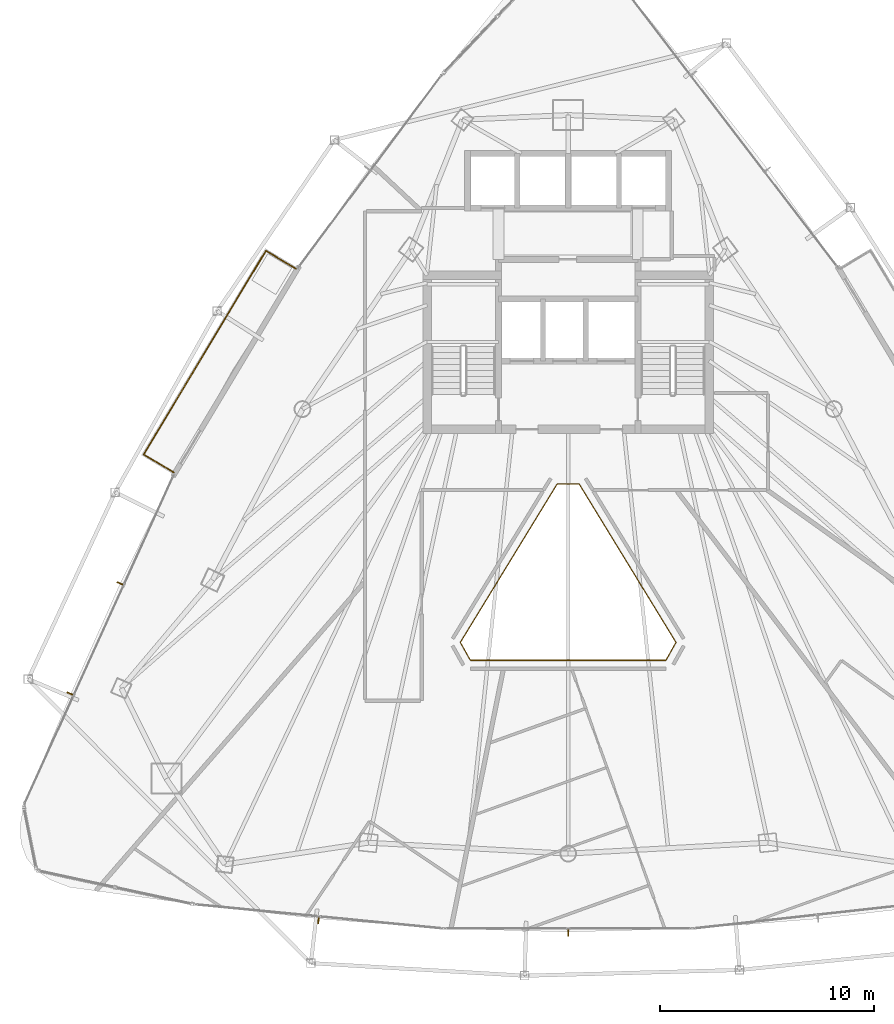
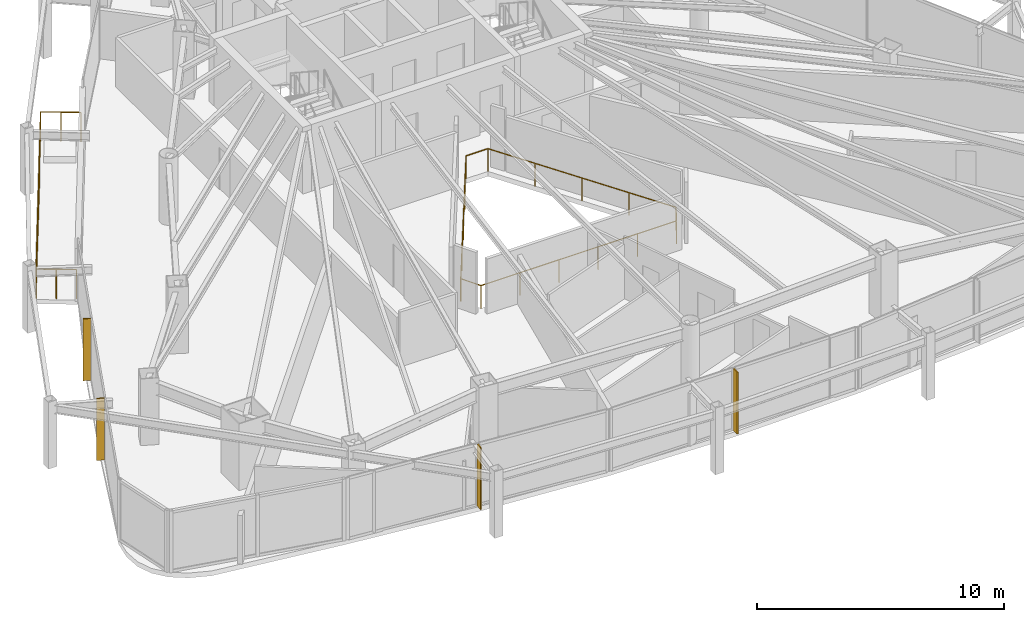
# One storey, part 28 of 30: 4 shading devices, 2 railings.
"""IFC4 building model written with IfcOpenShell, lengths in metres."""

from ifc_helpers import new_model, si_unit, direction, frame, origin, origin_2d, place, context, subcontext, project, spatial, rectangle, circle, extrude, material, layer, layer_set, type_object, element, save


model = new_model("IFC4")

# Units and contexts
model_context = context("Model", 3, precision=1e-05, world=origin(), true_north=direction((0.0, 1.0)))
body_context = subcontext(model_context, "Body", "Model", "MODEL_VIEW")
ifc_project = project(units=[si_unit("LENGTHUNIT", "METRE"), si_unit("AREAUNIT", "SQUARE_METRE"), si_unit("VOLUMEUNIT", "CUBIC_METRE"), si_unit("PLANEANGLEUNIT", "RADIAN"), si_unit("MASSUNIT", "GRAM", prefix="KILO")], contexts=[model_context])

# Site, building, storey
site_placement = place(None, origin())
site = spatial("IfcSite", under=ifc_project, at=site_placement, CompositionType="ELEMENT")
building_placement = place(site_placement, origin())
building = spatial("IfcBuilding", under=site, at=building_placement, Name="Orvanel Arch Residences", CompositionType="ELEMENT")
storey_placement = place(building_placement, frame((0.0, 0.0, 136.39990234375)))
storey = spatial("IfcBuildingStorey", under=building, at=storey_placement, Name="L38", CompositionType="ELEMENT", Elevation=136.39990234375)

# Shading devices
ifc_material = material(Name="Bronze-anodised aluminium AA6063-T6", Category="aluminium")
ifc_layer = layer(ifc_material, 0.054931640625)
ifc_layer_set = layer_set([ifc_layer], Name="Bronze-anodised aluminium AA6063-T6")
shading_device_type = type_object("IfcShadingDeviceType", Name="FIN-BRZ-320", PredefinedType="USERDEFINED", material=ifc_layer_set)
for number, where, z_axis, x_axis, name in (
    (1, (12.0390625, 19.48193359375, 0.0), (0.0, 0.0, 1.0), (-0.910683660806, 0.413104429825, 0.0), "L38 Anodised Bronze Mullion FIN 01"),
    (2, (9.697998046875, 14.327880859375, 0.0), (0.0, 0.0, 1.0), (-0.910683660806, 0.413104429825, 0.0), "L38 Anodised Bronze Mullion FIN 02"),
    (3, (21.320068359375, 3.717041015625, 0.0), (0.0, 0.0, 1.0), (-0.09584575252, -0.995396198367, 0.0), "L38 Anodised Bronze Mullion FIN 01"),
    (4, (33.0, 3.14990234375, 0.0), (0.0, 0.0, 1.0), (0.0, -1.0, 0.0), "L38 Anodised Bronze Mullion FIN 01"),
):
    element("IfcShadingDevice", number, at=place(storey_placement, frame(where, z_axis=z_axis, x_axis=x_axis)), inside=storey, type_object=shading_device_type, Name=name, ObjectType="FIN", PredefinedType="USERDEFINED", context=body_context, shape_type="SweptSolid", body=[
        extrude(rectangle(XDim=0.320068359375, YDim=0.054931640625, at=origin_2d()), origin(), (0.0, 0.0, 1.0), 3.06005859375),
    ])

# Railings
railing_type_1 = type_object("IfcRailingType", Name="RL-ATR-1150", PredefinedType="BALUSTRADE", material=ifc_material)
railing_1_placement = place(storey_placement, frame((33.510986328125, 24.138916015625, 0.0)))
element("IfcRailing", 5, at=railing_1_placement, inside=storey, type_object=railing_type_1, Name="L38 Atrium Void Protective Balustrade", PredefinedType="BALUSTRADE", context=body_context, shape_type="SweptSolid", body=[
    extrude(circle(Radius=0.02392578125, at=origin_2d()), frame((-0.00146484375, 0.0, 1.1259765625), z_axis=(-1.0, 0.0, 0.0), x_axis=(0.0, -1.0, 0.0)), (0.0, 0.0, 1.0), 1.01904296875),
    extrude(circle(Radius=0.02392578125, at=origin_2d()), frame((-1.022705078125, -0.001220703125, 1.1259765625), z_axis=(-0.521578460024, -0.853203322801, 0.0), x_axis=(0.853203322801, -0.521578460024, 0.0)), (0.0, 0.0, 1.0), 8.68408203125),
    extrude(circle(Radius=0.02392578125, at=origin_2d()), frame((-5.55224609375, -7.4130859375, 1.1259765625), z_axis=(0.488518007853, -0.872553812669, 0.0), x_axis=(0.872553812669, 0.488518007853, 0.0)), (0.0, 0.0, 1.0), 0.955078125),
    extrude(circle(Radius=0.02392578125, at=origin_2d()), frame((-5.08349609375, -8.247802734375, 1.1259765625), z_axis=(1.0, 0.0, 0.0), x_axis=(0.0, 1.0, 0.0)), (0.0, 0.0, 1.0), 9.14501953125),
    extrude(circle(Radius=0.02392578125, at=origin_2d()), frame((4.063720703125, -8.24658203125, 1.1259765625), z_axis=(0.488518007853, 0.872553812669, 0.0), x_axis=(-0.872553812669, 0.488518007853, 0.0)), (0.0, 0.0, 1.0), 0.955078125),
    extrude(circle(Radius=0.02392578125, at=origin_2d()), frame((4.5302734375, -7.41064453125, 1.1259765625), z_axis=(-0.521578460024, 0.853203322801, 0.0), x_axis=(-0.853203322801, -0.521578460024, 0.0)), (0.0, 0.0, 1.0), 8.68408203125),
    extrude(circle(Radius=0.02099609375, at=origin_2d()), origin(), (0.0, 0.0, 1.0), 1.099853515625),
    extrude(circle(Radius=0.02099609375, at=origin_2d()), frame((-1.02197265625, 0.0, 0.0)), (0.0, 0.0, 1.0), 1.099853515625),
    extrude(circle(Radius=0.02099609375, at=origin_2d()), frame((-2.15478515625, -1.85302734375, 0.0)), (0.0, 0.0, 1.0), 1.099853515625),
    extrude(circle(Radius=0.02099609375, at=origin_2d()), frame((-3.28759765625, -3.7060546875, 0.0)), (0.0, 0.0, 1.0), 1.099853515625),
    extrude(circle(Radius=0.02099609375, at=origin_2d()), frame((-4.420166015625, -5.558837890625, 0.0)), (0.0, 0.0, 1.0), 1.099853515625),
    extrude(circle(Radius=0.02099609375, at=origin_2d()), frame((-5.552978515625, -7.411865234375, 0.0)), (0.0, 0.0, 1.0), 1.099853515625),
    extrude(circle(Radius=0.02099609375, at=origin_2d()), frame((-5.0849609375, -8.247802734375, 0.0)), (0.0, 0.0, 1.0), 1.099853515625),
    extrude(circle(Radius=0.02099609375, at=origin_2d()), frame((-3.25537109375, -8.247802734375, 0.0)), (0.0, 0.0, 1.0), 1.099853515625),
    extrude(circle(Radius=0.02099609375, at=origin_2d()), frame((-1.42578125, -8.247802734375, 0.0)), (0.0, 0.0, 1.0), 1.099853515625),
    extrude(circle(Radius=0.02099609375, at=origin_2d()), frame((0.40380859375, -8.247802734375, 0.0)), (0.0, 0.0, 1.0), 1.099853515625),
    extrude(circle(Radius=0.02099609375, at=origin_2d()), frame((2.2333984375, -8.247802734375, 0.0)), (0.0, 0.0, 1.0), 1.099853515625),
    extrude(circle(Radius=0.02099609375, at=origin_2d()), frame((4.06298828125, -8.247802734375, 0.0)), (0.0, 0.0, 1.0), 1.099853515625),
    extrude(circle(Radius=0.02099609375, at=origin_2d()), frame((4.531005859375, -7.411865234375, 0.0)), (0.0, 0.0, 1.0), 1.099853515625),
    extrude(circle(Radius=0.02099609375, at=origin_2d()), frame((3.398193359375, -5.558837890625, 0.0)), (0.0, 0.0, 1.0), 1.099853515625),
    extrude(circle(Radius=0.02099609375, at=origin_2d()), frame((2.265625, -3.7060546875, 0.0)), (0.0, 0.0, 1.0), 1.099853515625),
    extrude(circle(Radius=0.02099609375, at=origin_2d()), frame((1.1328125, -1.85302734375, 0.0)), (0.0, 0.0, 1.0), 1.099853515625),
])
railing_type_2 = type_object("IfcRailingType", Name="RL-BAL-1480", PredefinedType="BALUSTRADE", material=ifc_material)
railing_2_placement = place(storey_placement, frame((20.264892578125, 34.205078125, 0.0)))
element("IfcRailing", 6, at=railing_2_placement, inside=storey, type_object=railing_type_2, Name="L38 Balcony Perimeter Guardrail Face 1", PredefinedType="BALUSTRADE", context=body_context, shape_type="SweptSolid", body=[
    extrude(circle(Radius=0.02392578125, at=origin_2d()), frame((-0.001220703125, 0.000732421875, 1.4560546875), z_axis=(-0.857387817543, 0.514670895164, 0.0), x_axis=(-0.514670895164, -0.857387817543, 0.0)), (0.0, 0.0, 1.0), 1.636962890625),
    extrude(circle(Radius=0.02392578125, at=origin_2d()), frame((-1.40673828125, 0.8427734375, 1.4560546875), z_axis=(-0.514414986508, -0.857541381891, 0.0), x_axis=(0.857541381891, -0.514414986508, 0.0)), (0.0, 0.0, 1.0), 11.110107421875),
    extrude(circle(Radius=0.02392578125, at=origin_2d()), frame((-7.12158203125, -8.686767578125, 1.4560546875), z_axis=(0.857545439568, -0.514408222208, 0.0), x_axis=(0.514408222208, 0.857545439568, 0.0)), (0.0, 0.0, 1.0), 1.6376953125),
    extrude(circle(Radius=0.02099609375, at=origin_2d()), origin(), (0.0, 0.0, 1.0), 1.429931640625),
    extrude(circle(Radius=0.02099609375, at=origin_2d()), frame((-0.703125, 0.421875, 0.0)), (0.0, 0.0, 1.0), 1.429931640625),
    extrude(circle(Radius=0.02099609375, at=origin_2d()), frame((-1.406005859375, 0.843994140625, 0.0)), (0.0, 0.0, 1.0), 1.429931640625),
    extrude(circle(Radius=0.02099609375, at=origin_2d()), frame((-1.977783203125, -0.10888671875, 0.0)), (0.0, 0.0, 1.0), 1.429931640625),
    extrude(circle(Radius=0.02099609375, at=origin_2d()), frame((-2.54931640625, -1.06201171875, 0.0)), (0.0, 0.0, 1.0), 1.429931640625),
    extrude(circle(Radius=0.02099609375, at=origin_2d()), frame((-3.12109375, -2.01513671875, 0.0)), (0.0, 0.0, 1.0), 1.429931640625),
    extrude(circle(Radius=0.02099609375, at=origin_2d()), frame((-3.692626953125, -2.968017578125, 0.0)), (0.0, 0.0, 1.0), 1.429931640625),
    extrude(circle(Radius=0.02099609375, at=origin_2d()), frame((-4.264404296875, -3.9208984375, 0.0)), (0.0, 0.0, 1.0), 1.429931640625),
    extrude(circle(Radius=0.02099609375, at=origin_2d()), frame((-4.836181640625, -4.8740234375, 0.0)), (0.0, 0.0, 1.0), 1.429931640625),
    extrude(circle(Radius=0.02099609375, at=origin_2d()), frame((-5.40771484375, -5.8271484375, 0.0)), (0.0, 0.0, 1.0), 1.429931640625),
    extrude(circle(Radius=0.02099609375, at=origin_2d()), frame((-5.9794921875, -6.780029296875, 0.0)), (0.0, 0.0, 1.0), 1.429931640625),
    extrude(circle(Radius=0.02099609375, at=origin_2d()), frame((-6.551025390625, -7.73291015625, 0.0)), (0.0, 0.0, 1.0), 1.429931640625),
    extrude(circle(Radius=0.02099609375, at=origin_2d()), frame((-7.122802734375, -8.68603515625, 0.0)), (0.0, 0.0, 1.0), 1.429931640625),
    extrude(circle(Radius=0.02099609375, at=origin_2d()), frame((-6.41943359375, -9.10791015625, 0.0)), (0.0, 0.0, 1.0), 1.429931640625),
    extrude(circle(Radius=0.02099609375, at=origin_2d()), frame((-5.7158203125, -9.530029296875, 0.0)), (0.0, 0.0, 1.0), 1.429931640625),
])

save(model, "model.ifc")
